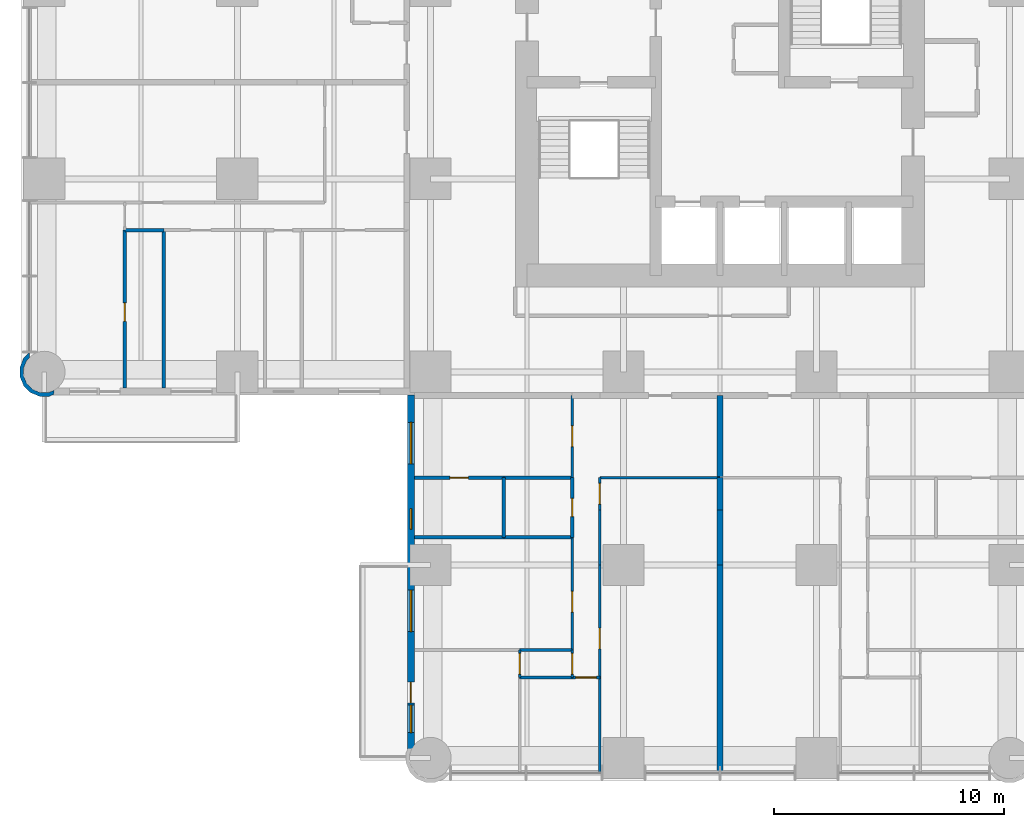
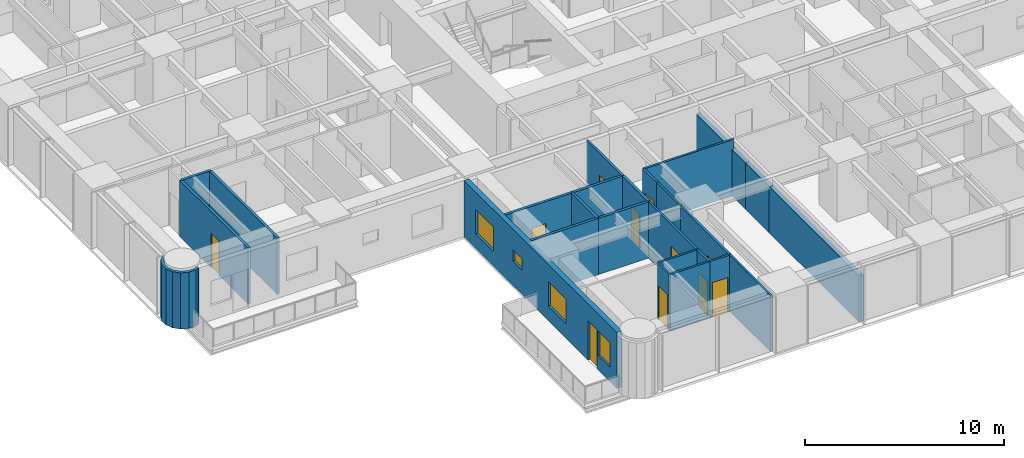
# One storey, part 7 of 17: 27 walls, 11 doors, 4 windows, 15 openings.
"""IFC4 building model written with IfcOpenShell, lengths in metres."""

from ifc_helpers import new_model, si_unit, direction, frame, frame_2d, origin, place, context, subcontext, project, spatial, polyline, rectangle, outline, extrude, material, layer, layer_set, type_object, element, fill, save


model = new_model("IFC4")

# Units and contexts
model_context = context("Model", 3, precision=1e-05, world=origin(), true_north=direction((0.0, 1.0)))
body_context = subcontext(model_context, "Body", "Model", "MODEL_VIEW")
ifc_project = project(units=[si_unit("LENGTHUNIT", "METRE"), si_unit("AREAUNIT", "SQUARE_METRE"), si_unit("VOLUMEUNIT", "CUBIC_METRE"), si_unit("PLANEANGLEUNIT", "RADIAN"), si_unit("MASSUNIT", "GRAM", prefix="KILO")], contexts=[model_context])

# Site, building, storey
site_placement = place(None, origin())
site = spatial("IfcSite", under=ifc_project, at=site_placement, CompositionType="ELEMENT")
building_placement = place(site_placement, origin())
building = spatial("IfcBuilding", under=site, at=building_placement, Name="Torre Alcanfor", CompositionType="ELEMENT")
storey_placement = place(building_placement, frame((0.0, 0.0, 34.5)))
storey = spatial("IfcBuildingStorey", under=building, at=storey_placement, Name="L07", CompositionType="ELEMENT", Elevation=34.5)

# Wall
ifc_material_1 = material(Name="Gypsum board on steel studs", Category="steel")
ifc_layer_1 = layer(ifc_material_1, 0.1201171875)
ifc_layer_set_1 = layer_set([ifc_layer_1], Name="Apartment partition 120")
wall_type_1 = type_object("IfcWallType", Name="Apartment partition 120", PredefinedType="PARTITIONING", material=ifc_layer_set_1)
wall_1_placement = place(storey_placement, frame((29.39990234375, 12.199951171875, 0.0), z_axis=(0.0, 0.0, 1.0), x_axis=(-1.0, 0.0, 0.0)))
element("IfcWall", 1, at=wall_1_placement, inside=storey, type_object=wall_type_1, Name="Partition L07-S2-ZAG / L07-S2-LAUND", PredefinedType="PARTITIONING", context=body_context, shape_type="SweptSolid", body=[
    extrude(rectangle(XDim=5.22900390625, YDim=0.1201171875, at=frame_2d((2.614501953125, 0.0))), origin(), (0.0, 0.0, 1.0), 3.449951171875),
])

# Wall, opening, door
wall_2_placement = place(storey_placement, frame((24.1708984375, 10.800048828125, 0.0), z_axis=(0.0, 0.0, 1.0), x_axis=(0.0, 1.0, 0.0)))
wall_2 = element("IfcWall", 2, at=wall_2_placement, inside=storey, type_object=wall_type_1, Name="Partition L07-S2-LAUND / L07-S2-HALL", PredefinedType="PARTITIONING", context=body_context, shape_type="SweptSolid", body=[
    extrude(rectangle(XDim=1.39990234375, YDim=0.1201171875, at=frame_2d((0.699951171875, 0.0))), origin(), (0.0, 0.0, 1.0), 3.449951171875),
])
opening_1_placement = place(wall_2_placement, frame((0.25, 0.0, 0.0)))
opening_1 = element("IfcOpeningElement", 3, at=opening_1_placement, cuts=wall_2, Name="Opening D-R1", PredefinedType="OPENING", context=body_context, shape_type="SweptSolid", body=[
    extrude(rectangle(XDim=0.89990234375, YDim=2.10009765625, at=frame_2d((0.449951171875, 1.050048828125))), frame((0.0, 0.070068359375, 0.0), z_axis=(0.0, -1.0, 0.0), x_axis=(1.0, 0.0, 0.0)), (0.0, 0.0, 1.0), 0.14013671875),
])
ifc_material_2 = material(Name="Timber", Category="wood")
door_type_1 = type_object("IfcDoorType", Name="Internal door 900x2100", OperationType="SINGLE_SWING_LEFT", PredefinedType="DOOR", material=ifc_material_2)
door_1_placement = place(opening_1_placement, frame((0.89990234375, 0.0, 0.0), z_axis=(0.0, 0.0, 1.0), x_axis=(-1.0, 0.0, 0.0)))
door_1 = element("IfcDoor", 4, at=door_1_placement, inside=storey, type_object=door_type_1, Name="Door L07-S2 laund", OperationType="SINGLE_SWING_RIGHT", OverallHeight=2.10009765625, OverallWidth=0.89990234375, PredefinedType="DOOR", context=body_context, shape_type="SweptSolid", body=[
    extrude(rectangle(XDim=0.89990234375, YDim=2.10009765625, at=frame_2d((0.449951171875, 1.050048828125))), frame((0.0, 0.025146484375, 0.0), z_axis=(0.0, -1.0, 0.0), x_axis=(1.0, 0.0, 0.0)), (0.0, 0.0, 1.0), 0.050048828125),
])
fill(opening_1, door_1)

# Wall
wall_3_placement = place(storey_placement, frame((24.1708984375, 8.39990234375, 0.0), z_axis=(0.0, 0.0, 1.0), x_axis=(0.0, 1.0, 0.0)))
element("IfcWall", 5, at=wall_3_placement, inside=storey, type_object=wall_type_1, Name="Partition L07-S2-KITCHEN / L07-S2-HALL", PredefinedType="PARTITIONING", context=body_context, shape_type="SweptSolid", body=[
    extrude(rectangle(XDim=2.400146484375, YDim=0.1201171875, at=frame_2d((1.2001953125, 0.0))), origin(), (0.0, 0.0, 1.0), 3.449951171875),
])

# Wall, opening, door
wall_4_placement = place(storey_placement, frame((24.1708984375, 3.5, 0.0), z_axis=(0.0, 0.0, 1.0), x_axis=(0.0, 1.0, 0.0)))
wall_4 = element("IfcWall", 6, at=wall_4_placement, inside=storey, type_object=wall_type_1, Name="Partition L07-S2-LIVING / L07-S2-HALL", PredefinedType="PARTITIONING", context=body_context, shape_type="SweptSolid", body=[
    extrude(rectangle(XDim=4.89990234375, YDim=0.1201171875, at=frame_2d((2.449951171875, 0.0))), origin(), (0.0, 0.0, 1.0), 3.449951171875),
])
opening_2_placement = place(wall_4_placement, frame((1.25, 0.0, 0.0)))
opening_2 = element("IfcOpeningElement", 7, at=opening_2_placement, cuts=wall_4, Name="Opening D-R1", PredefinedType="OPENING", context=body_context, shape_type="SweptSolid", body=[
    extrude(rectangle(XDim=0.89990234375, YDim=2.10009765625, at=frame_2d((0.449951171875, 1.050048828125))), frame((0.0, 0.070068359375, 0.0), z_axis=(0.0, -1.0, 0.0), x_axis=(1.0, 0.0, 0.0)), (0.0, 0.0, 1.0), 0.14013671875),
])
door_2_placement = place(opening_2_placement, frame((0.89990234375, 0.0, 0.0), z_axis=(0.0, 0.0, 1.0), x_axis=(-1.0, 0.0, 0.0)))
door_2 = element("IfcDoor", 8, at=door_2_placement, inside=storey, type_object=door_type_1, Name="Door L07-S2 living", OperationType="SINGLE_SWING_LEFT", OverallHeight=2.10009765625, OverallWidth=0.89990234375, PredefinedType="DOOR", context=body_context, shape_type="SweptSolid", body=[
    extrude(rectangle(XDim=0.89990234375, YDim=2.10009765625, at=frame_2d((0.449951171875, 1.050048828125))), frame((0.0, 0.025146484375, 0.0), z_axis=(0.0, -1.0, 0.0), x_axis=(1.0, 0.0, 0.0)), (0.0, 0.0, 1.0), 0.050048828125),
])
fill(opening_2, door_2)

# Wall
wall_5_placement = place(storey_placement, frame((24.1708984375, -0.64990234375, 0.0), z_axis=(0.0, 0.0, 1.0), x_axis=(0.0, 1.0, 0.0)))
element("IfcWall", 9, at=wall_5_placement, inside=storey, type_object=wall_type_1, Name="Partition L07-S2-LIVING / L07-S2-BED2", PredefinedType="PARTITIONING", context=body_context, shape_type="SweptSolid", body=[
    extrude(rectangle(XDim=4.14990234375, YDim=0.1201171875, at=frame_2d((2.074951171875, 0.0))), origin(), (0.0, 0.0, 1.0), 3.449951171875),
])

# Wall, opening, door
wall_6_placement = place(storey_placement, frame((22.970947265625, 12.199951171875, 0.0), z_axis=(0.0, 0.0, 1.0), x_axis=(0.0, 1.0, 0.0)))
wall_6 = element("IfcWall", 10, at=wall_6_placement, inside=storey, type_object=wall_type_1, Name="Partition L07-S2-HALL / L07-S2-SERV", PredefinedType="PARTITIONING", context=body_context, shape_type="SweptSolid", body=[
    extrude(rectangle(XDim=3.574951171875, YDim=0.1201171875, at=frame_2d((1.78759765625, 0.0))), origin(), (0.0, 0.0, 1.0), 3.449951171875),
])
opening_3_placement = place(wall_6_placement, frame((1.35009765625, 0.0, 0.0)))
opening_3 = element("IfcOpeningElement", 11, at=opening_3_placement, cuts=wall_6, Name="Opening D-R1", PredefinedType="OPENING", context=body_context, shape_type="SweptSolid", body=[
    extrude(rectangle(XDim=0.89990234375, YDim=2.10009765625, at=frame_2d((0.449951171875, 1.050048828125))), frame((0.0, 0.070068359375, 0.0), z_axis=(0.0, -1.0, 0.0), x_axis=(1.0, 0.0, 0.0)), (0.0, 0.0, 1.0), 0.14013671875),
])
door_3_placement = place(opening_3_placement, origin())
door_3 = element("IfcDoor", 12, at=door_3_placement, inside=storey, type_object=door_type_1, Name="Door L07-S2 serv", OperationType="SINGLE_SWING_RIGHT", OverallHeight=2.10009765625, OverallWidth=0.89990234375, PredefinedType="DOOR", context=body_context, shape_type="SweptSolid", body=[
    extrude(rectangle(XDim=0.89990234375, YDim=2.10009765625, at=frame_2d((0.449951171875, 1.050048828125))), frame((0.0, 0.02490234375, 0.0), z_axis=(0.0, -1.0, 0.0), x_axis=(1.0, 0.0, 0.0)), (0.0, 0.0, 1.0), 0.050048828125),
])
fill(opening_3, door_3)

wall_7_placement = place(storey_placement, frame((22.970947265625, 4.699951171875, 0.0), z_axis=(0.0, 0.0, 1.0), x_axis=(0.0, 1.0, 0.0)))
wall_7 = element("IfcWall", 13, at=wall_7_placement, inside=storey, type_object=wall_type_1, Name="Partition L07-S2-HALL / L07-S2-BED3", PredefinedType="PARTITIONING", context=body_context, shape_type="SweptSolid", body=[
    extrude(rectangle(XDim=4.900146484375, YDim=0.1201171875, at=frame_2d((2.4501953125, 0.0))), origin(), (0.0, 0.0, 1.0), 3.449951171875),
])
opening_4_placement = place(wall_7_placement, frame((1.64990234375, 0.0, 0.0)))
opening_4 = element("IfcOpeningElement", 14, at=opening_4_placement, cuts=wall_7, Name="Opening D-R1", PredefinedType="OPENING", context=body_context, shape_type="SweptSolid", body=[
    extrude(rectangle(XDim=0.89990234375, YDim=2.10009765625, at=frame_2d((0.449951171875, 1.050048828125))), frame((0.0, 0.070068359375, 0.0), z_axis=(0.0, -1.0, 0.0), x_axis=(1.0, 0.0, 0.0)), (0.0, 0.0, 1.0), 0.14013671875),
])
door_4_placement = place(opening_4_placement, origin())
door_4 = element("IfcDoor", 15, at=door_4_placement, inside=storey, type_object=door_type_1, Name="Door L07-S2 bed3", OperationType="SINGLE_SWING_LEFT", OverallHeight=2.10009765625, OverallWidth=0.89990234375, PredefinedType="DOOR", context=body_context, shape_type="SweptSolid", body=[
    extrude(rectangle(XDim=0.89990234375, YDim=2.10009765625, at=frame_2d((0.449951171875, 1.050048828125))), frame((0.0, 0.02490234375, 0.0), z_axis=(0.0, -1.0, 0.0), x_axis=(1.0, 0.0, 0.0)), (0.0, 0.0, 1.0), 0.050048828125),
])
fill(opening_4, door_4)

wall_8_placement = place(storey_placement, frame((22.970947265625, 3.5, 0.0), z_axis=(0.0, 0.0, 1.0), x_axis=(0.0, 1.0, 0.0)))
wall_8 = element("IfcWall", 16, at=wall_8_placement, inside=storey, type_object=wall_type_1, Name="Partition L07-S2-HALL / L07-S2-VEST", PredefinedType="PARTITIONING", context=body_context, shape_type="SweptSolid", body=[
    extrude(rectangle(XDim=1.199951171875, YDim=0.1201171875, at=frame_2d((0.60009765625, 0.0))), origin(), (0.0, 0.0, 1.0), 3.449951171875),
])
opening_5_placement = place(wall_8_placement, frame((0.14990234375, 0.0, 0.0)))
opening_5 = element("IfcOpeningElement", 17, at=opening_5_placement, cuts=wall_8, Name="Opening D-R1", PredefinedType="OPENING", context=body_context, shape_type="SweptSolid", body=[
    extrude(rectangle(XDim=0.89990234375, YDim=2.10009765625, at=frame_2d((0.449951171875, 1.050048828125))), frame((0.0, 0.070068359375, 0.0), z_axis=(0.0, -1.0, 0.0), x_axis=(1.0, 0.0, 0.0)), (0.0, 0.0, 1.0), 0.14013671875),
])
door_5_placement = place(opening_5_placement, origin())
door_5 = element("IfcDoor", 18, at=door_5_placement, inside=storey, type_object=door_type_1, Name="Door L07-S2 vest", OperationType="SINGLE_SWING_LEFT", OverallHeight=2.10009765625, OverallWidth=0.89990234375, PredefinedType="DOOR", context=body_context, shape_type="SweptSolid", body=[
    extrude(rectangle(XDim=0.89990234375, YDim=2.10009765625, at=frame_2d((0.449951171875, 1.050048828125))), frame((0.0, 0.02490234375, 0.0), z_axis=(0.0, -1.0, 0.0), x_axis=(1.0, 0.0, 0.0)), (0.0, 0.0, 1.0), 0.050048828125),
])
fill(opening_5, door_5)

wall_9_placement = place(storey_placement, frame((24.1708984375, 3.5, 0.0), z_axis=(0.0, 0.0, 1.0), x_axis=(-1.0, 0.0, 0.0)))
wall_9 = element("IfcWall", 19, at=wall_9_placement, inside=storey, type_object=wall_type_1, Name="Partition L07-S2-HALL / L07-S2-BED2", PredefinedType="PARTITIONING", context=body_context, shape_type="SweptSolid", body=[
    extrude(rectangle(XDim=1.199951171875, YDim=0.1201171875, at=frame_2d((0.60009765625, 0.0))), origin(), (0.0, 0.0, 1.0), 3.449951171875),
])
opening_6_placement = place(wall_9_placement, frame((0.15087890625, 0.0, 0.0)))
opening_6 = element("IfcOpeningElement", 20, at=opening_6_placement, cuts=wall_9, Name="Opening D-R1", PredefinedType="OPENING", context=body_context, shape_type="SweptSolid", body=[
    extrude(rectangle(XDim=0.89990234375, YDim=2.10009765625, at=frame_2d((0.449951171875, 1.050048828125))), frame((0.0, 0.070068359375, 0.0), z_axis=(0.0, -1.0, 0.0), x_axis=(1.0, 0.0, 0.0)), (0.0, 0.0, 1.0), 0.14013671875),
])
door_6_placement = place(opening_6_placement, origin())
door_6 = element("IfcDoor", 21, at=door_6_placement, inside=storey, type_object=door_type_1, Name="Door L07-S2 bed2", OperationType="SINGLE_SWING_LEFT", OverallHeight=2.10009765625, OverallWidth=0.89990234375, PredefinedType="DOOR", context=body_context, shape_type="SweptSolid", body=[
    extrude(rectangle(XDim=0.89990234375, YDim=2.10009765625, at=frame_2d((0.449951171875, 1.050048828125))), frame((0.0, 0.02490234375, 0.0), z_axis=(0.0, -1.0, 0.0), x_axis=(1.0, 0.0, 0.0)), (0.0, 0.0, 1.0), 0.050048828125),
])
fill(opening_6, door_6)

# Walls
for number, where, z_axis, x_axis, name in (
    (22, (22.970947265625, 4.699951171875, 0.0), (0.0, 0.0, 1.0), (-1.0, 0.0, 0.0), "Partition L07-S2-BED3 / L07-S2-VEST"),
    (23, (22.970947265625, 3.5, 0.0), (0.0, 0.0, 1.0), (-1.0, 0.0, 0.0), "Partition L07-S2-VEST / L07-S2-BED2"),
):
    element("IfcWall", number, at=place(storey_placement, frame(where, z_axis=z_axis, x_axis=x_axis)), inside=storey, type_object=wall_type_1, Name=name, PredefinedType="PARTITIONING", context=body_context, shape_type="SweptSolid", body=[
        extrude(rectangle(XDim=2.284912109375, YDim=0.1201171875, at=frame_2d((1.142578125, 0.0))), origin(), (0.0, 0.0, 1.0), 3.449951171875),
    ])

# Wall, opening, door
wall_10_placement = place(storey_placement, frame((20.68603515625, 3.5, 0.0), z_axis=(0.0, 0.0, 1.0), x_axis=(0.0, 1.0, 0.0)))
wall_10 = element("IfcWall", 24, at=wall_10_placement, inside=storey, type_object=wall_type_1, Name="Partition L07-S2-VEST / L07-S2-MASTER", PredefinedType="PARTITIONING", context=body_context, shape_type="SweptSolid", body=[
    extrude(rectangle(XDim=1.199951171875, YDim=0.1201171875, at=frame_2d((0.60009765625, 0.0))), origin(), (0.0, 0.0, 1.0), 3.449951171875),
])
opening_7_placement = place(wall_10_placement, frame((0.14990234375, 0.0, 0.0)))
opening_7 = element("IfcOpeningElement", 25, at=opening_7_placement, cuts=wall_10, Name="Opening D-R1", PredefinedType="OPENING", context=body_context, shape_type="SweptSolid", body=[
    extrude(rectangle(XDim=0.89990234375, YDim=2.10009765625, at=frame_2d((0.449951171875, 1.050048828125))), frame((0.0, 0.070068359375, 0.0), z_axis=(0.0, -1.0, 0.0), x_axis=(1.0, 0.0, 0.0)), (0.0, 0.0, 1.0), 0.14013671875),
])
door_7_placement = place(opening_7_placement, frame((0.89990234375, 0.0, 0.0), z_axis=(0.0, 0.0, 1.0), x_axis=(-1.0, 0.0, 0.0)))
door_7 = element("IfcDoor", 26, at=door_7_placement, inside=storey, type_object=door_type_1, Name="Door L07-S2 master", OperationType="SINGLE_SWING_RIGHT", OverallHeight=2.10009765625, OverallWidth=0.89990234375, PredefinedType="DOOR", context=body_context, shape_type="SweptSolid", body=[
    extrude(rectangle(XDim=0.89990234375, YDim=2.10009765625, at=frame_2d((0.449951171875, 1.050048828125))), frame((0.0, 0.025146484375, 0.0), z_axis=(0.0, -1.0, 0.0), x_axis=(1.0, 0.0, 0.0)), (0.0, 0.0, 1.0), 0.050048828125),
])
fill(opening_7, door_7)

# Wall, openings, door, windows
ifc_material_3 = material(Name="Limestone cladding", Category="masonry")
ifc_layer_2 = layer(ifc_material_3, 0.0400390625, Name="Facing")
ifc_material_4 = material(Name="Ventilated air cavity")
ifc_layer_3 = layer(ifc_material_4, 0.02001953125, ventilated=True, Name="Ventilated joint")
ifc_material_5 = material(Name="Mineral wool insulation", Category="insulation")
ifc_layer_4 = layer(ifc_material_5, 0.10009765625, Name="Insulation")
ifc_material_6 = material(Name="Concrete f'c 35 MPa", Category="concrete")
ifc_layer_5 = layer(ifc_material_6, 0.139892578125, Name="Backing")
ifc_layer_set_2 = layer_set([ifc_layer_2, ifc_layer_3, ifc_layer_4, ifc_layer_5], Name="External wall stone-clad 300")
wall_type_2 = type_object("IfcWallType", Name="External wall stone-clad 300", PredefinedType="SOLIDWALL", material=ifc_layer_set_2)
wall_11_placement = place(storey_placement, frame((15.949951171875, 15.800048828125, 0.0), z_axis=(0.0, 0.0, 1.0), x_axis=(0.0, -1.0, 0.0)))
wall_11 = element("IfcWall", 27, at=wall_11_placement, inside=storey, type_object=wall_type_2, Name="External wall L07 4", PredefinedType="SOLIDWALL", context=body_context, shape_type="SweptSolid", body=[
    extrude(rectangle(XDim=15.400146484375, YDim=0.300048828125, at=frame_2d((7.7001953125, 0.0))), origin(), (0.0, 0.0, 1.0), 3.449951171875),
])
opening_8_placement = place(wall_11_placement, frame((1.199951171875, 0.0, 0.89990234375)))
opening_8 = element("IfcOpeningElement", 28, at=opening_8_placement, cuts=wall_11, Name="Opening W2", PredefinedType="OPENING", context=body_context, shape_type="SweptSolid", body=[
    extrude(rectangle(XDim=1.800048828125, YDim=1.5, at=frame_2d((0.89990234375, 0.75))), frame((0.0, 0.159912109375, 0.0), z_axis=(0.0, -1.0, 0.0), x_axis=(1.0, 0.0, 0.0)), (0.0, 0.0, 1.0), 0.320068359375),
])
opening_9_placement = place(wall_11_placement, frame((4.949951171875, 0.0, 1.5)))
opening_9 = element("IfcOpeningElement", 29, at=opening_9_placement, cuts=wall_11, Name="Opening W3", PredefinedType="OPENING", context=body_context, shape_type="SweptSolid", body=[
    extrude(rectangle(XDim=0.89990234375, YDim=0.699951171875, at=frame_2d((0.449951171875, 0.35009765625))), frame((0.0, 0.159912109375, 0.0), z_axis=(0.0, -1.0, 0.0), x_axis=(1.0, 0.0, 0.0)), (0.0, 0.0, 1.0), 0.320068359375),
])
opening_10_placement = place(wall_11_placement, frame((8.5, 0.0, 0.89990234375)))
opening_10 = element("IfcOpeningElement", 30, at=opening_10_placement, cuts=wall_11, Name="Opening W2", PredefinedType="OPENING", context=body_context, shape_type="SweptSolid", body=[
    extrude(rectangle(XDim=1.800048828125, YDim=1.5, at=frame_2d((0.89990234375, 0.75))), frame((0.0, 0.159912109375, 0.0), z_axis=(0.0, -1.0, 0.0), x_axis=(1.0, 0.0, 0.0)), (0.0, 0.0, 1.0), 0.320068359375),
])
opening_11_placement = place(wall_11_placement, frame((12.5, 0.0, 0.0)))
opening_11 = element("IfcOpeningElement", 31, at=opening_11_placement, cuts=wall_11, Name="Opening D-B1", PredefinedType="OPENING", context=body_context, shape_type="SweptSolid", body=[
    extrude(rectangle(XDim=0.89990234375, YDim=2.39990234375, at=frame_2d((0.449951171875, 1.199951171875))), frame((0.0, 0.159912109375, 0.0), z_axis=(0.0, -1.0, 0.0), x_axis=(1.0, 0.0, 0.0)), (0.0, 0.0, 1.0), 0.320068359375),
])
opening_12_placement = place(wall_11_placement, frame((13.5, 0.0, 0.89990234375)))
opening_12 = element("IfcOpeningElement", 32, at=opening_12_placement, cuts=wall_11, Name="Opening W4", PredefinedType="OPENING", context=body_context, shape_type="SweptSolid", body=[
    extrude(rectangle(XDim=1.199951171875, YDim=1.5, at=frame_2d((0.60009765625, 0.75))), frame((0.0, 0.159912109375, 0.0), z_axis=(0.0, -1.0, 0.0), x_axis=(1.0, 0.0, 0.0)), (0.0, 0.0, 1.0), 0.320068359375),
])
ifc_material_7 = material(Name="Aluminium and glass", Category="aluminium")
door_type_2 = type_object("IfcDoorType", Name="Balcony door glazed 900x2400", OperationType="SINGLE_SWING_LEFT", PredefinedType="DOOR", material=ifc_material_7)
door_8_placement = place(opening_11_placement, origin())
door_8 = element("IfcDoor", 33, at=door_8_placement, inside=storey, type_object=door_type_2, Name="Balcony door L07-S2", OperationType="SINGLE_SWING_LEFT", OverallHeight=2.39990234375, OverallWidth=0.89990234375, PredefinedType="DOOR", context=body_context, shape_type="SweptSolid", body=[
    extrude(rectangle(XDim=0.89990234375, YDim=2.39990234375, at=frame_2d((0.449951171875, 1.199951171875))), frame((0.0, 0.02490234375, 0.0), z_axis=(0.0, -1.0, 0.0), x_axis=(1.0, 0.0, 0.0)), (0.0, 0.0, 1.0), 0.050048828125),
])
fill(opening_11, door_8)
ifc_material_8 = material(Name="Aluminium frame with clear double glazing", Category="aluminium")
window_type_1 = type_object("IfcWindowType", Name="Window bathroom 900x700", PartitioningType="SINGLE_PANEL", PredefinedType="WINDOW", material=ifc_material_8)
window_1_placement = place(opening_9_placement, origin())
window_1 = element("IfcWindow", 34, at=window_1_placement, inside=storey, type_object=window_type_1, Name="Window W3 L07-S2", OverallHeight=0.699951171875, OverallWidth=0.89990234375, PartitioningType="SINGLE_PANEL", PredefinedType="WINDOW", context=body_context, shape_type="SweptSolid", body=[
    extrude(rectangle(XDim=0.89990234375, YDim=0.699951171875, at=frame_2d((0.449951171875, 0.35009765625))), frame((0.0, 0.030029296875, 0.0), z_axis=(0.0, -1.0, 0.0), x_axis=(1.0, 0.0, 0.0)), (0.0, 0.0, 1.0), 0.06005859375),
])
fill(opening_9, window_1)
ifc_material_9 = material(Name="Aluminium frame with clear double glazing", Category="aluminium")
window_type_2 = type_object("IfcWindowType", Name="Window bedroom 1200x1500", PartitioningType="SINGLE_PANEL", PredefinedType="WINDOW", material=ifc_material_9)
window_2_placement = place(opening_12_placement, origin())
window_2 = element("IfcWindow", 35, at=window_2_placement, inside=storey, type_object=window_type_2, Name="Window W4 L07-S2", OverallHeight=1.5, OverallWidth=1.199951171875, PartitioningType="SINGLE_PANEL", PredefinedType="WINDOW", context=body_context, shape_type="SweptSolid", body=[
    extrude(rectangle(XDim=1.199951171875, YDim=1.5, at=frame_2d((0.60009765625, 0.75))), frame((0.0, 0.030029296875, 0.0), z_axis=(0.0, -1.0, 0.0), x_axis=(1.0, 0.0, 0.0)), (0.0, 0.0, 1.0), 0.06005859375),
])
fill(opening_12, window_2)
ifc_material_10 = material(Name="Aluminium frame with clear double glazing", Category="aluminium")
window_type_3 = type_object("IfcWindowType", Name="Window bedroom 1800x1500", PartitioningType="SINGLE_PANEL", PredefinedType="WINDOW", material=ifc_material_10)
window_3_placement = place(opening_8_placement, origin())
window_3 = element("IfcWindow", 36, at=window_3_placement, inside=storey, type_object=window_type_3, Name="Window W2 L07-S2", OverallHeight=1.5, OverallWidth=1.800048828125, PartitioningType="SINGLE_PANEL", PredefinedType="WINDOW", context=body_context, shape_type="SweptSolid", body=[
    extrude(rectangle(XDim=1.800048828125, YDim=1.5, at=frame_2d((0.89990234375, 0.75))), frame((0.0, 0.030029296875, 0.0), z_axis=(0.0, -1.0, 0.0), x_axis=(1.0, 0.0, 0.0)), (0.0, 0.0, 1.0), 0.06005859375),
])
fill(opening_8, window_3)
window_4_placement = place(opening_10_placement, origin())
window_4 = element("IfcWindow", 37, at=window_4_placement, inside=storey, type_object=window_type_3, Name="Window W2 L07-S2", OverallHeight=1.5, OverallWidth=1.800048828125, PartitioningType="SINGLE_PANEL", PredefinedType="WINDOW", context=body_context, shape_type="SweptSolid", body=[
    extrude(rectangle(XDim=1.800048828125, YDim=1.5, at=frame_2d((0.89990234375, 0.75))), frame((0.0, 0.030029296875, 0.0), z_axis=(0.0, -1.0, 0.0), x_axis=(1.0, 0.0, 0.0)), (0.0, 0.0, 1.0), 0.06005859375),
])
fill(opening_10, window_4)

# Walls
ifc_material_11 = material(Name="Concrete block masonry, hollow blocks NMX-C-404 9 MPa", Category="masonry")
ifc_layer_6 = layer(ifc_material_11, 0.25)
ifc_layer_set_3 = layer_set([ifc_layer_6], Name="Party wall 250 EI 60")
wall_type_3 = type_object("IfcWallType", Name="Party wall 250 EI 60", PredefinedType="PARTITIONING", material=ifc_layer_set_3)
wall_12_placement = place(storey_placement, frame((29.39990234375, 15.77490234375, 0.0), z_axis=(0.0, 0.0, 1.0), x_axis=(0.0, -1.0, 0.0)))
element("IfcWall", 38, at=wall_12_placement, inside=storey, type_object=wall_type_3, Name="Partition L07-S1-ZAG / L07-S2-ZAG", PredefinedType="PARTITIONING", context=body_context, shape_type="SweptSolid", body=[
    extrude(rectangle(XDim=3.574951171875, YDim=0.25, at=frame_2d((1.78759765625, 0.0))), origin(), (0.0, 0.0, 1.0), 2.847900390625),
])
wall_13_placement = place(storey_placement, frame((29.39990234375, 12.199951171875, 0.0), z_axis=(0.0, 0.0, 1.0), x_axis=(0.0, -1.0, 0.0)))
element("IfcWall", 39, at=wall_13_placement, inside=storey, type_object=wall_type_3, Name="Partition L07-S1-LAUND / L07-S2-LAUND", PredefinedType="PARTITIONING", context=body_context, shape_type="SweptSolid", body=[
    extrude(rectangle(XDim=1.39990234375, YDim=0.25, at=frame_2d((0.699951171875, 0.0))), origin(), (0.0, 0.0, 1.0), 2.847900390625),
])
wall_14_placement = place(storey_placement, frame((29.39990234375, 10.800048828125, 0.0), z_axis=(0.0, 0.0, 1.0), x_axis=(0.0, -1.0, 0.0)))
element("IfcWall", 40, at=wall_14_placement, inside=storey, type_object=wall_type_3, Name="Partition L07-S1-KITCHEN / L07-S2-KITCHEN", PredefinedType="PARTITIONING", context=body_context, shape_type="SweptSolid", body=[
    extrude(rectangle(XDim=2.400146484375, YDim=0.25, at=frame_2d((1.2001953125, 0.0))), origin(), (0.0, 0.0, 1.0), 2.847900390625),
])
wall_15_placement = place(storey_placement, frame((29.39990234375, 8.39990234375, 0.0), z_axis=(0.0, 0.0, 1.0), x_axis=(0.0, -1.0, 0.0)))
element("IfcWall", 41, at=wall_15_placement, inside=storey, type_object=wall_type_3, Name="Partition L07-S1-LIVING / L07-S2-LIVING", PredefinedType="PARTITIONING", context=body_context, shape_type="SweptSolid", body=[
    extrude(rectangle(XDim=9.0498046875, YDim=0.25, at=frame_2d((4.52490234375, 0.0))), origin(), (0.0, 0.0, 1.0), 2.847900390625),
])
ifc_layer_7 = layer(ifc_material_3, 0.0400390625, Name="Facing")
ifc_layer_8 = layer(ifc_material_4, 0.02001953125, ventilated=True, Name="Ventilated joint")
ifc_layer_9 = layer(ifc_material_5, 0.10009765625, Name="Insulation")
ifc_layer_10 = layer(ifc_material_6, 0.139892578125, Name="Backing")
ifc_layer_set_4 = layer_set([ifc_layer_7, ifc_layer_8, ifc_layer_9, ifc_layer_10], Name="Rounded corner pier stone-clad 300")
wall_type_4 = type_object("IfcWallType", Name="Rounded corner pier stone-clad 300", PredefinedType="SOLIDWALL", material=ifc_layer_set_4)
wall_16_placement = place(storey_placement, frame((-0.610519256, 17.56659392, 0.0), z_axis=(0.0, 0.0, 1.0), x_axis=(-0.926129809145, -0.377204953059, 0.0)))
element("IfcWall", 42, at=wall_16_placement, inside=storey, type_object=wall_type_4, Name="Corner pier L07 14", PredefinedType="SOLIDWALL", context=body_context, shape_type="SweptSolid", body=[
    extrude(outline(polyline([(-0.2694320048751383, 2.0171861008885523), (-0.3700526678318482, 1.8406866495551875), (-0.10232913830325796, 1.8423628952563784), (0.22959433821660935, 1.7071732294627), (0.4846648868960458, 1.4551341488862783), (0.6237723089217844, 1.1248457008471362), (0.6256501657648526, 0.7663568996565957), (0.49046049997117414, 0.4344334231367283), (0.2387396163581813, 0.17949688931473468), (0.09014163443691028, 0.11691195088889664), (0.010851237809964043, -0.07776523799639344), (0.024417592436116662, -0.08329070117597158), (0.32956848036437986, 0.045229547111777235), (0.4801338191951393, 0.19743274075920003), (0.4990091877024963, 0.1926447125875501), (0.5075557555746872, 0.2252788612711387), (0.6260018077392729, 0.3452223941390844), (0.7850430562581303, 0.7357073014618439), (0.782472278983801, 1.15721841463542), (0.6187061231885674, 1.5460551039454697), (0.3187132761612602, 1.8424884313203629), (-0.07154552525106339, 2.0014375887862275), (-0.2401131340992967, 2.00049972024067), (-0.2694320048751383, 2.0171861008885523)])), origin(), (0.0, 0.0, 1.0), 3.449951171875),
])

# Wall, opening, door
ifc_material_12 = material(Name="Cement board on steel studs", Category="steel")
ifc_layer_11 = layer(ifc_material_12, 0.14990234375)
ifc_layer_set_5 = layer_set([ifc_layer_11], Name="Wet area partition 150")
wall_type_5 = type_object("IfcWallType", Name="Wet area partition 150", PredefinedType="PARTITIONING", material=ifc_layer_set_5)
wall_17_placement = place(storey_placement, frame((22.970947265625, 9.60009765625, 0.0), z_axis=(0.0, 0.0, 1.0), x_axis=(0.0, 1.0, 0.0)))
wall_17 = element("IfcWall", 43, at=wall_17_placement, inside=storey, type_object=wall_type_5, Name="Partition L07-S2-HALL / L07-S2-BATH1", PredefinedType="PARTITIONING", context=body_context, shape_type="SweptSolid", body=[
    extrude(rectangle(XDim=2.599853515625, YDim=0.14990234375, at=frame_2d((1.2998046875, 0.0))), origin(), (0.0, 0.0, 1.0), 3.449951171875),
])
opening_13_placement = place(wall_17_placement, frame((0.89990234375, 0.0, 0.0)))
opening_13 = element("IfcOpeningElement", 44, at=opening_13_placement, cuts=wall_17, Name="Opening D-R2", PredefinedType="OPENING", context=body_context, shape_type="SweptSolid", body=[
    extrude(rectangle(XDim=0.800048828125, YDim=2.10009765625, at=frame_2d((0.39990234375, 1.050048828125))), frame((0.0, 0.0849609375, 0.0), z_axis=(0.0, -1.0, 0.0), x_axis=(1.0, 0.0, 0.0)), (0.0, 0.0, 1.0), 0.169921875),
])
ifc_material_13 = material(Name="Timber", Category="wood")
door_type_3 = type_object("IfcDoorType", Name="Bathroom door 800x2100", OperationType="SINGLE_SWING_LEFT", PredefinedType="DOOR", material=ifc_material_13)
door_9_placement = place(opening_13_placement, origin())
door_9 = element("IfcDoor", 45, at=door_9_placement, inside=storey, type_object=door_type_3, Name="Door L07-S2 bath1", OperationType="SINGLE_SWING_LEFT", OverallHeight=2.10009765625, OverallWidth=0.800048828125, PredefinedType="DOOR", context=body_context, shape_type="SweptSolid", body=[
    extrude(rectangle(XDim=0.800048828125, YDim=2.10009765625, at=frame_2d((0.39990234375, 1.050048828125))), frame((0.0, 0.02490234375, 0.0), z_axis=(0.0, -1.0, 0.0), x_axis=(1.0, 0.0, 0.0)), (0.0, 0.0, 1.0), 0.050048828125),
])
fill(opening_13, door_9)

# Wall
wall_18_placement = place(storey_placement, frame((22.970947265625, 12.199951171875, 0.0), z_axis=(0.0, 0.0, 1.0), x_axis=(-1.0, 0.0, 0.0)))
element("IfcWall", 46, at=wall_18_placement, inside=storey, type_object=wall_type_5, Name="Partition L07-S2-SERV / L07-S2-BATH1", PredefinedType="PARTITIONING", context=body_context, shape_type="SweptSolid", body=[
    extrude(rectangle(XDim=2.970947265625, YDim=0.14990234375, at=frame_2d((1.4853515625, 0.0))), origin(), (0.0, 0.0, 1.0), 3.449951171875),
])

# Wall, opening, door
wall_19_placement = place(storey_placement, frame((20.0, 12.199951171875, 0.0), z_axis=(0.0, 0.0, 1.0), x_axis=(-1.0, 0.0, 0.0)))
wall_19 = element("IfcWall", 47, at=wall_19_placement, inside=storey, type_object=wall_type_5, Name="Partition L07-S2-SERV / L07-S2-SBATH", PredefinedType="PARTITIONING", context=body_context, shape_type="SweptSolid", body=[
    extrude(rectangle(XDim=3.89990234375, YDim=0.14990234375, at=frame_2d((1.949951171875, 0.0))), origin(), (0.0, 0.0, 1.0), 3.449951171875),
])
opening_14_placement = place(wall_19_placement, frame((1.550048828125, 0.0, 0.0)))
opening_14 = element("IfcOpeningElement", 48, at=opening_14_placement, cuts=wall_19, Name="Opening D-R2", PredefinedType="OPENING", context=body_context, shape_type="SweptSolid", body=[
    extrude(rectangle(XDim=0.800048828125, YDim=2.10009765625, at=frame_2d((0.39990234375, 1.050048828125))), frame((0.0, 0.0849609375, 0.0), z_axis=(0.0, -1.0, 0.0), x_axis=(1.0, 0.0, 0.0)), (0.0, 0.0, 1.0), 0.169921875),
])
door_10_placement = place(opening_14_placement, origin())
door_10 = element("IfcDoor", 49, at=door_10_placement, inside=storey, type_object=door_type_3, Name="Door L07-S2 sbath", OperationType="SINGLE_SWING_LEFT", OverallHeight=2.10009765625, OverallWidth=0.800048828125, PredefinedType="DOOR", context=body_context, shape_type="SweptSolid", body=[
    extrude(rectangle(XDim=0.800048828125, YDim=2.10009765625, at=frame_2d((0.39990234375, 1.050048828125))), frame((0.0, 0.02490234375, 0.0), z_axis=(0.0, -1.0, 0.0), x_axis=(1.0, 0.0, 0.0)), (0.0, 0.0, 1.0), 0.050048828125),
])
fill(opening_14, door_10)

# Walls
wall_20_placement = place(storey_placement, frame((20.0, 9.60009765625, 0.0), z_axis=(0.0, 0.0, 1.0), x_axis=(0.0, 1.0, 0.0)))
element("IfcWall", 50, at=wall_20_placement, inside=storey, type_object=wall_type_5, Name="Partition L07-S2-BATH1 / L07-S2-SBATH", PredefinedType="PARTITIONING", context=body_context, shape_type="SweptSolid", body=[
    extrude(rectangle(XDim=2.599853515625, YDim=0.14990234375, at=frame_2d((1.2998046875, 0.0))), origin(), (0.0, 0.0, 1.0), 3.449951171875),
])
wall_21_placement = place(storey_placement, frame((22.970947265625, 9.60009765625, 0.0), z_axis=(0.0, 0.0, 1.0), x_axis=(-1.0, 0.0, 0.0)))
element("IfcWall", 51, at=wall_21_placement, inside=storey, type_object=wall_type_5, Name="Partition L07-S2-BATH1 / L07-S2-BED3", PredefinedType="PARTITIONING", context=body_context, shape_type="SweptSolid", body=[
    extrude(rectangle(XDim=2.970947265625, YDim=0.14990234375, at=frame_2d((1.4853515625, 0.0))), origin(), (0.0, 0.0, 1.0), 3.449951171875),
])
wall_22_placement = place(storey_placement, frame((20.0, 9.60009765625, 0.0), z_axis=(0.0, 0.0, 1.0), x_axis=(-1.0, 0.0, 0.0)))
element("IfcWall", 52, at=wall_22_placement, inside=storey, type_object=wall_type_5, Name="Partition L07-S2-SBATH / L07-S2-BED3", PredefinedType="PARTITIONING", context=body_context, shape_type="SweptSolid", body=[
    extrude(rectangle(XDim=3.89990234375, YDim=0.14990234375, at=frame_2d((1.949951171875, 0.0))), origin(), (0.0, 0.0, 1.0), 3.449951171875),
])
wall_23_placement = place(storey_placement, frame((3.5, 22.970947265625, 0.0), z_axis=(0.0, 0.0, 1.0), x_axis=(1.0, 0.0, 0.0)))
element("IfcWall", 53, at=wall_23_placement, inside=storey, type_object=wall_type_5, Name="Partition L07-W1-HALL / L07-W1-ENSBATH", PredefinedType="PARTITIONING", context=body_context, shape_type="SweptSolid", body=[
    extrude(rectangle(XDim=1.699951171875, YDim=0.14990234375, at=frame_2d((0.85009765625, 0.0))), origin(), (0.0, 0.0, 1.0), 3.449951171875),
])
wall_24_placement = place(storey_placement, frame((5.199951171875, 22.970947265625, 0.0), z_axis=(0.0, 0.0, 1.0), x_axis=(0.0, -1.0, 0.0)))
element("IfcWall", 54, at=wall_24_placement, inside=storey, type_object=wall_type_5, Name="Partition L07-W1-BED2 / L07-W1-ENSBATH", PredefinedType="PARTITIONING", context=body_context, shape_type="SweptSolid", body=[
    extrude(rectangle(XDim=6.870849609375, YDim=0.14990234375, at=frame_2d((3.435546875, 0.0))), origin(), (0.0, 0.0, 1.0), 3.449951171875),
])

# Wall, opening, door
wall_25_placement = place(storey_placement, frame((3.5, 22.970947265625, 0.0), z_axis=(0.0, 0.0, 1.0), x_axis=(0.0, -1.0, 0.0)))
wall_25 = element("IfcWall", 55, at=wall_25_placement, inside=storey, type_object=wall_type_5, Name="Partition L07-W1-ENSBATH / L07-W1-MASTER", PredefinedType="PARTITIONING", context=body_context, shape_type="SweptSolid", body=[
    extrude(rectangle(XDim=6.870849609375, YDim=0.14990234375, at=frame_2d((3.435546875, 0.0))), origin(), (0.0, 0.0, 1.0), 3.449951171875),
])
opening_15_placement = place(wall_25_placement, frame((3.1708984375, 0.0, 0.0)))
opening_15 = element("IfcOpeningElement", 56, at=opening_15_placement, cuts=wall_25, Name="Opening D-R2", PredefinedType="OPENING", context=body_context, shape_type="SweptSolid", body=[
    extrude(rectangle(XDim=0.800048828125, YDim=2.10009765625, at=frame_2d((0.39990234375, 1.050048828125))), frame((0.0, 0.0849609375, 0.0), z_axis=(0.0, -1.0, 0.0), x_axis=(1.0, 0.0, 0.0)), (0.0, 0.0, 1.0), 0.169921875),
])
door_11_placement = place(opening_15_placement, origin())
door_11 = element("IfcDoor", 57, at=door_11_placement, inside=storey, type_object=door_type_3, Name="Door L07-W1 ensbath", OperationType="SINGLE_SWING_RIGHT", OverallHeight=2.10009765625, OverallWidth=0.800048828125, PredefinedType="DOOR", context=body_context, shape_type="SweptSolid", body=[
    extrude(rectangle(XDim=0.800048828125, YDim=2.10009765625, at=frame_2d((0.39990234375, 1.050048828125))), frame((0.0, 0.02490234375, 0.0), z_axis=(0.0, -1.0, 0.0), x_axis=(1.0, 0.0, 0.0)), (0.0, 0.0, 1.0), 0.050048828125),
])
fill(opening_15, door_11)

save(model, "model.ifc")
